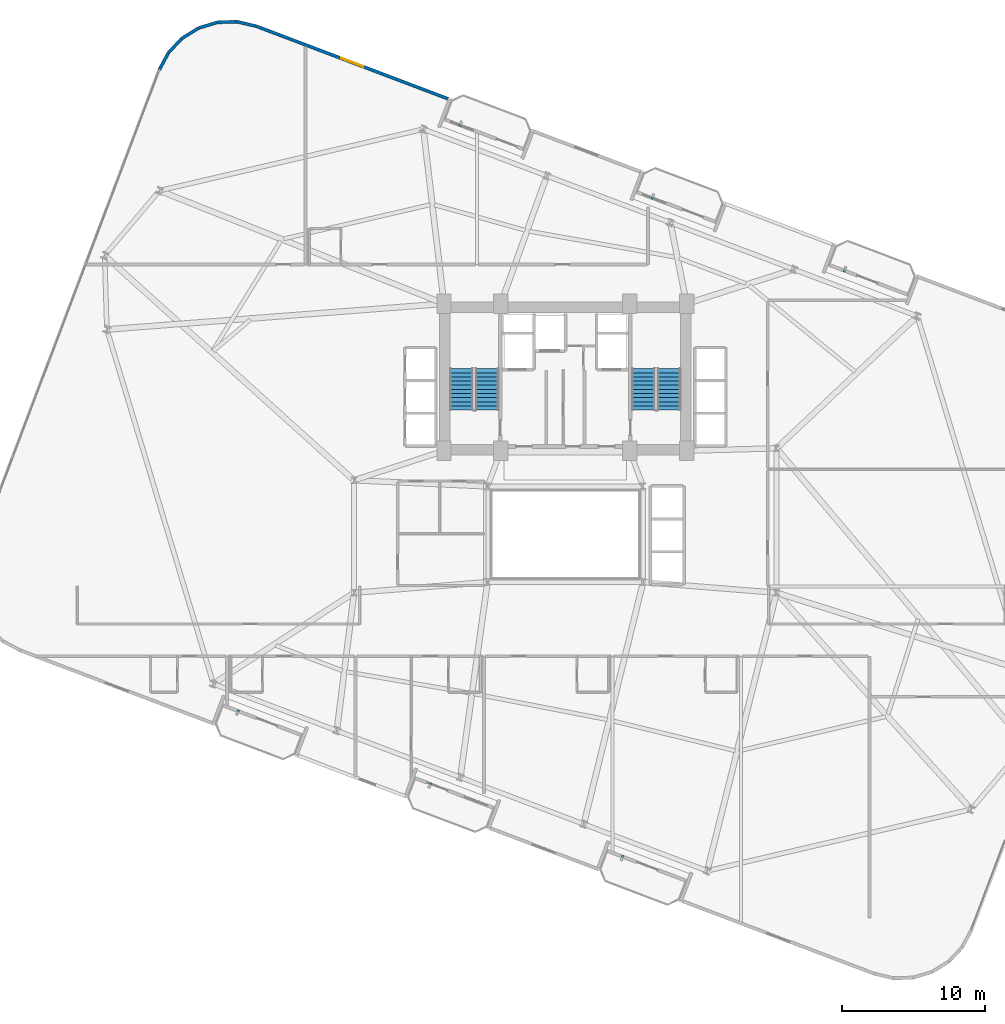
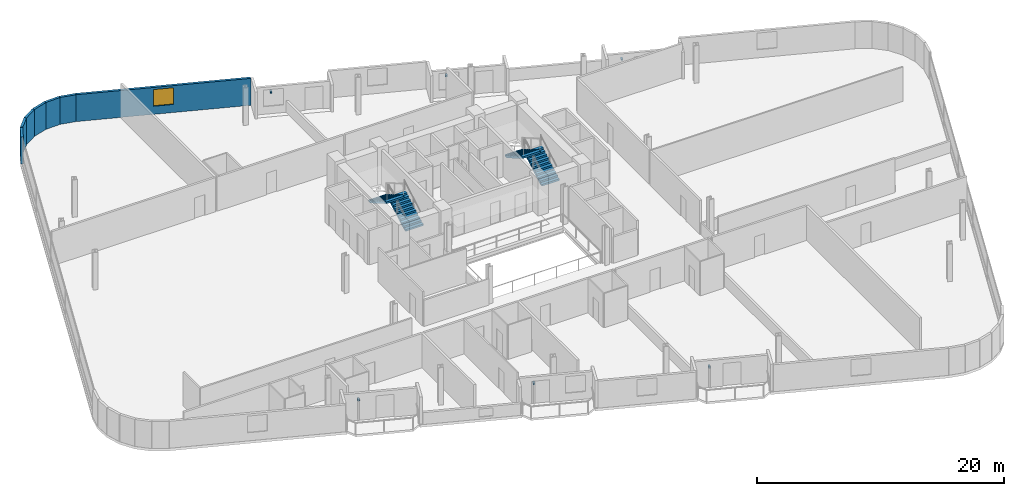
# One storey, part 22 of 25: 7 walls, 6 discrete accessories, 4 stair flights, 1 window, 1 opening, 2 elements without a shape of their own.
"""IFC4 building model written with IfcOpenShell, lengths in metres."""

from ifc_helpers import new_model, si_unit, direction, frame, frame_2d, origin, origin_2d, place, context, subcontext, project, spatial, polyline, rectangle, outline, extrude, source, transform, mapped, material, layer, layer_set, type_object, element, fill, aggregate, save


model = new_model("IFC4")

# Units and contexts
model_context = context("Model", 3, precision=1e-05, world=origin(), true_north=direction((0.0, 1.0)))
body_context = subcontext(model_context, "Body", "Model", "MODEL_VIEW")
ifc_project = project(units=[si_unit("LENGTHUNIT", "METRE"), si_unit("AREAUNIT", "SQUARE_METRE"), si_unit("VOLUMEUNIT", "CUBIC_METRE"), si_unit("PLANEANGLEUNIT", "RADIAN"), si_unit("MASSUNIT", "GRAM", prefix="KILO")], contexts=[model_context])

# Site, building, storey
site_placement = place(None, origin())
site = spatial("IfcSite", under=ifc_project, at=site_placement, CompositionType="ELEMENT")
building_placement = place(site_placement, origin())
building = spatial("IfcBuilding", under=site, at=building_placement, Name="Varnelok Gate Tower", CompositionType="ELEMENT")
storey_placement = place(building_placement, frame((0.0, 0.0, 113.199951171875)))
storey = spatial("IfcBuildingStorey", under=building, at=storey_placement, Name="L28", CompositionType="ELEMENT", Elevation=113.199951171875)

# Wall, opening, window
ifc_material_1 = material(Name="Concrete C45/55", Category="concrete")
ifc_layer = layer(ifc_material_1, 0.219970703125)
ifc_layer_set = layer_set([ifc_layer], Name="Concrete C45/55")
wall_type = type_object("IfcWallType", Name="EW-BALC-220", PredefinedType="SOLIDWALL", material=ifc_layer_set)
wall_1_placement = place(storey_placement, frame((30.97607421875, 53.412841796875, 0.0), z_axis=(0.0, 0.0, 1.0), x_axis=(-0.935220327379, 0.354066292178, 0.0)))
wall_1 = element("IfcWall", 1, at=wall_1_placement, inside=storey, type_object=wall_type, Name="L28 Perimeter Facade Closure Wall 38", PredefinedType="SOLIDWALL", context=body_context, shape_type="SweptSolid", body=[
    extrude(rectangle(XDim=14.34716796875, YDim=0.219970703125, at=frame_2d((7.173583984375, 0.0))), origin(), (0.0, 0.0, 1.0), 2.66015625),
])
opening_placement = place(wall_1_placement, frame((6.348388671875, 0.0, 0.800048828125)))
opening = element("IfcOpeningElement", 2, at=opening_placement, cuts=wall_1, Name="Opening WN3", PredefinedType="OPENING", context=body_context, shape_type="SweptSolid", body=[
    extrude(rectangle(XDim=1.64990234375, YDim=1.64990234375, at=frame_2d((0.824951171875, 0.824951171875))), frame((0.0, 0.119873046875, 0.0), z_axis=(0.0, -1.0, 0.0), x_axis=(1.0, 0.0, 0.0)), (0.0, 0.0, 1.0), 0.239990234375),
])
ifc_material_2 = material(Name="Low-E Laminated Double Glazing IGU", Category="glass")
window_type = type_object("IfcWindowType", Name="WN-HTL-1650", PartitioningType="SINGLE_PANEL", PredefinedType="WINDOW", material=ifc_material_2)
window_placement = place(opening_placement, origin())
window = element("IfcWindow", 3, at=window_placement, inside=storey, type_object=window_type, Name="L28 Perimeter Vision Window 38", OverallHeight=1.64990234375, OverallWidth=1.64990234375, PartitioningType="SINGLE_PANEL", PredefinedType="WINDOW", context=body_context, shape_type="SweptSolid", body=[
    extrude(rectangle(XDim=1.64990234375, YDim=1.64990234375, at=frame_2d((0.824951171875, 0.824951171875))), frame((0.0, 0.030029296875, 0.0), z_axis=(0.0, -1.0, 0.0), x_axis=(1.0, 0.0, 0.0)), (0.0, 0.0, 1.0), 0.06005859375),
])
fill(opening, window)

# Walls
wall_2_placement = place(storey_placement, frame((17.533935546875, 58.498291015625, 0.0), z_axis=(0.0, 0.0, 1.0), x_axis=(-0.973414815952, 0.229049331117, 0.0)))
element("IfcWall", 4, at=wall_2_placement, inside=storey, type_object=wall_type, Name="L28 Perimeter Facade Closure Wall 39", PredefinedType="SOLIDWALL", context=body_context, shape_type="SweptSolid", body=[
    extrude(rectangle(XDim=1.361083984375, YDim=0.219970703125, at=frame_2d((0.6806640625, 0.0))), origin(), (0.0, 0.0, 1.0), 2.66015625),
])
wall_3_placement = place(storey_placement, frame((16.18408203125, 58.809326171875, 0.0), z_axis=(0.0, 0.0, 1.0), x_axis=(-0.999523971993, -0.03085173271, 0.0)))
element("IfcWall", 5, at=wall_3_placement, inside=storey, type_object=wall_type, Name="L28 Perimeter Facade Closure Wall 40", PredefinedType="SOLIDWALL", context=body_context, shape_type="SweptSolid", body=[
    extrude(rectangle(XDim=1.353271484375, YDim=0.219970703125, at=frame_2d((0.6767578125, 0.0))), origin(), (0.0, 0.0, 1.0), 2.66015625),
])
for number, where, z_axis, x_axis, name in (
    (6, (14.8076171875, 58.76025390625, 0.0), (0.0, 0.0, 1.0), (-0.957532798303, -0.28832436625, 0.0), "L28 Perimeter Facade Closure Wall 41"),
    (7, (13.49072265625, 58.35693359375, 0.0), (0.0, 0.0, 1.0), (-0.850261301096, -0.526360826676, 0.0), "L28 Perimeter Facade Closure Wall 42"),
    (8, (12.3232421875, 57.62646484375, 0.0), (0.0, 0.0, 1.0), (-0.684936830459, -0.728602455583, 0.0), "L28 Perimeter Facade Closure Wall 43"),
    (9, (11.384521484375, 56.61865234375, 0.0), (0.0, 0.0, 1.0), (-0.473077364598, -0.881020889142, 0.0), "L28 Perimeter Facade Closure Wall 44"),
):
    element("IfcWall", number, at=place(storey_placement, frame(where, z_axis=z_axis, x_axis=x_axis)), inside=storey, type_object=wall_type, Name=name, PredefinedType="SOLIDWALL", context=body_context, shape_type="SweptSolid", body=[
        extrude(rectangle(XDim=1.35302734375, YDim=0.219970703125, at=frame_2d((0.676513671875, 0.0))), origin(), (0.0, 0.0, 1.0), 2.66015625),
    ])

# Stair, stair flights
ifc_material_3 = material(Name="Concrete C50/60", Category="concrete")
stair_type = type_object("IfcStairType", Name="STR-CORE-1650", PredefinedType="HALF_TURN_STAIR", material=ifc_material_3)
stair_1_placement = place(storey_placement, origin())
stair_1 = element("IfcStair", 10, at=stair_1_placement, inside=storey, type_object=stair_type, Name="L28 Exit Stair ST-1", PredefinedType="HALF_TURN_STAIR")
stair_flight_type = type_object("IfcStairFlightType", Name="SFL-CORE-1650", PredefinedType="STRAIGHT", material=ifc_material_3)
stair_flight_1_placement = place(storey_placement, frame((33.72509765625, 31.60009765625, 0.0), z_axis=(0.0, 0.0, 1.0), x_axis=(0.0, 1.0, 0.0)))
stair_flight_1 = element("IfcStairFlight", 11, at=stair_flight_1_placement, type_object=stair_flight_type, Name="ST-1 flight 1", NumberOfRisers=11, NumberOfTreads=10, PredefinedType="STRAIGHT", RiserHeight=0.168181818, TreadLength=0.29, context=body_context, shape_type="SweptSolid", body=[
    extrude(outline(polyline([(0.0, 0.0), (0.0, 0.168212890625), (0.2900390625, 0.168212890625), (0.2900390625, 0.33642578125), (0.580078125, 0.33642578125), (0.580078125, 0.504638671875), (0.8701171875, 0.504638671875), (0.8701171875, 0.672607421875), (1.159912109375, 0.672607421875), (1.159912109375, 0.8408203125), (1.449951171875, 0.8408203125), (1.449951171875, 1.009033203125), (1.739990234375, 1.009033203125), (1.739990234375, 1.17724609375), (2.030029296875, 1.17724609375), (2.030029296875, 1.345458984375), (2.320068359375, 1.345458984375), (2.320068359375, 1.513671875), (2.610107421875, 1.513671875), (2.610107421875, 1.681884765625), (2.89990234375, 1.681884765625), (2.89990234375, 1.85009765625), (2.89990234375, 1.508544921875), (0.298828125, 0.0), (0.0, 0.0)])), frame((0.0, 0.824951171875, 0.0), z_axis=(0.0, -1.0, 0.0), x_axis=(1.0, 0.0, 0.0)), (0.0, 0.0, 1.0), 1.64990234375),
])
stair_flight_2_placement = place(storey_placement, frame((31.925048828125, 34.5, 1.85009765625), z_axis=(0.0, 0.0, 1.0), x_axis=(0.0, -1.0, 0.0)))
stair_flight_2 = element("IfcStairFlight", 12, at=stair_flight_2_placement, type_object=stair_flight_type, Name="ST-1 flight 2", NumberOfRisers=11, NumberOfTreads=10, PredefinedType="STRAIGHT", RiserHeight=0.168181818, TreadLength=0.29, context=body_context, shape_type="SweptSolid", body=[
    extrude(outline(polyline([(0.0, 0.0), (0.0, 0.168212890625), (0.2900390625, 0.168212890625), (0.2900390625, 0.33642578125), (0.580078125, 0.33642578125), (0.580078125, 0.504638671875), (0.8701171875, 0.504638671875), (0.8701171875, 0.672607421875), (1.159912109375, 0.672607421875), (1.159912109375, 0.8408203125), (1.449951171875, 0.8408203125), (1.449951171875, 1.009033203125), (1.739990234375, 1.009033203125), (1.739990234375, 1.17724609375), (2.030029296875, 1.17724609375), (2.030029296875, 1.345458984375), (2.320068359375, 1.345458984375), (2.320068359375, 1.513671875), (2.610107421875, 1.513671875), (2.610107421875, 1.681884765625), (2.89990234375, 1.681884765625), (2.89990234375, 1.85009765625), (2.89990234375, 1.508544921875), (0.298828125, 0.0), (0.0, 0.0)])), frame((0.0, 0.824951171875, 0.0), z_axis=(0.0, -1.0, 0.0), x_axis=(1.0, 0.0, 0.0)), (0.0, 0.0, 1.0), 1.64990234375),
])
aggregate(stair_1, [stair_flight_1, stair_flight_2])

stair_2_placement = place(storey_placement, origin())
stair_2 = element("IfcStair", 13, at=stair_2_placement, inside=storey, type_object=stair_type, Name="L28 Exit Stair ST-2", PredefinedType="HALF_TURN_STAIR")
stair_flight_3_placement = place(storey_placement, frame((46.47509765625, 31.60009765625, 0.0), z_axis=(0.0, 0.0, 1.0), x_axis=(0.0, 1.0, 0.0)))
stair_flight_3 = element("IfcStairFlight", 14, at=stair_flight_3_placement, type_object=stair_flight_type, Name="ST-2 flight 1", NumberOfRisers=11, NumberOfTreads=10, PredefinedType="STRAIGHT", RiserHeight=0.168181818, TreadLength=0.29, context=body_context, shape_type="SweptSolid", body=[
    extrude(outline(polyline([(0.0, 0.0), (0.0, 0.168212890625), (0.2900390625, 0.168212890625), (0.2900390625, 0.33642578125), (0.580078125, 0.33642578125), (0.580078125, 0.504638671875), (0.8701171875, 0.504638671875), (0.8701171875, 0.672607421875), (1.159912109375, 0.672607421875), (1.159912109375, 0.8408203125), (1.449951171875, 0.8408203125), (1.449951171875, 1.009033203125), (1.739990234375, 1.009033203125), (1.739990234375, 1.17724609375), (2.030029296875, 1.17724609375), (2.030029296875, 1.345458984375), (2.320068359375, 1.345458984375), (2.320068359375, 1.513671875), (2.610107421875, 1.513671875), (2.610107421875, 1.681884765625), (2.89990234375, 1.681884765625), (2.89990234375, 1.85009765625), (2.89990234375, 1.508544921875), (0.298828125, 0.0), (0.0, 0.0)])), frame((0.0, 0.824951171875, 0.0), z_axis=(0.0, -1.0, 0.0), x_axis=(1.0, 0.0, 0.0)), (0.0, 0.0, 1.0), 1.64990234375),
])
stair_flight_4_placement = place(storey_placement, frame((44.675048828125, 34.5, 1.85009765625), z_axis=(0.0, 0.0, 1.0), x_axis=(0.0, -1.0, 0.0)))
stair_flight_4 = element("IfcStairFlight", 15, at=stair_flight_4_placement, type_object=stair_flight_type, Name="ST-2 flight 2", NumberOfRisers=11, NumberOfTreads=10, PredefinedType="STRAIGHT", RiserHeight=0.168181818, TreadLength=0.29, context=body_context, shape_type="SweptSolid", body=[
    extrude(outline(polyline([(0.0, 0.0), (0.0, 0.168212890625), (0.2900390625, 0.168212890625), (0.2900390625, 0.33642578125), (0.580078125, 0.33642578125), (0.580078125, 0.504638671875), (0.8701171875, 0.504638671875), (0.8701171875, 0.672607421875), (1.159912109375, 0.672607421875), (1.159912109375, 0.8408203125), (1.449951171875, 0.8408203125), (1.449951171875, 1.009033203125), (1.739990234375, 1.009033203125), (1.739990234375, 1.17724609375), (2.030029296875, 1.17724609375), (2.030029296875, 1.345458984375), (2.320068359375, 1.345458984375), (2.320068359375, 1.513671875), (2.610107421875, 1.513671875), (2.610107421875, 1.681884765625), (2.89990234375, 1.681884765625), (2.89990234375, 1.85009765625), (2.89990234375, 1.508544921875), (0.298828125, 0.0), (0.0, 0.0)])), frame((0.0, 0.824951171875, 0.0), z_axis=(0.0, -1.0, 0.0), x_axis=(1.0, 0.0, 0.0)), (0.0, 0.0, 1.0), 1.64990234375),
])
aggregate(stair_2, [stair_flight_3, stair_flight_4])

# Discrete accessories
ifc_material_4 = material(Name="Structural Steel ASTM A500 Grade C", Category="steel")
discrete_accessory_type = type_object("IfcDiscreteAccessoryType", Name="ACC-BAGUETTE-BRK", PredefinedType="BRACKET", material=ifc_material_4)
shared_shape = source(origin(), body_context, "Body", "SweptSolid", [
    extrude(rectangle(XDim=0.159912109375, YDim=0.340087890625, at=origin_2d()), origin(), (0.0, 0.0, 1.0), 0.139892578125),
])
for number, where, z_axis, x_axis, name in (
    (16, (16.24951171875, 10.432861328125, 1.97998046875), (0.0, 0.0, 1.0), (0.935221751401, -0.354062530786, 0.0), "L28 Terracotta Baguette Bracket 1.1"),
    (17, (29.716552734375, 5.33447265625, 1.97998046875), (0.0, 0.0, 1.0), (0.935221751401, -0.354062530786, 0.0), "L28 Terracotta Baguette Bracket 2.1"),
    (18, (43.183837890625, 0.23583984375, 1.97998046875), (0.0, 0.0, 1.0), (0.935221751401, -0.354062530786, 0.0), "L28 Terracotta Baguette Bracket 3.1"),
    (19, (31.849365234375, 51.638671875, 1.97998046875), (0.0, 0.0, 1.0), (0.935221751401, -0.354062530786, 0.0), "L28 Terracotta Baguette Bracket 4.1"),
    (20, (45.316650390625, 46.540283203125, 1.97998046875), (0.0, 0.0, 1.0), (0.935221751401, -0.354062530786, 0.0), "L28 Terracotta Baguette Bracket 5.1"),
    (21, (58.78369140625, 41.441650390625, 1.97998046875), (0.0, 0.0, 1.0), (0.935221751401, -0.354062530786, 0.0), "L28 Terracotta Baguette Bracket 6.1"),
):
    element("IfcDiscreteAccessory", number, at=place(storey_placement, frame(where, z_axis=z_axis, x_axis=x_axis)), inside=storey, type_object=discrete_accessory_type, Name=name, PredefinedType="BRACKET", context=body_context, shape_type="MappedRepresentation", body=[
        mapped(shared_shape, transform((0.0, 0.0, 0.0), scale=1.0)),
    ])

save(model, "model.ifc")
